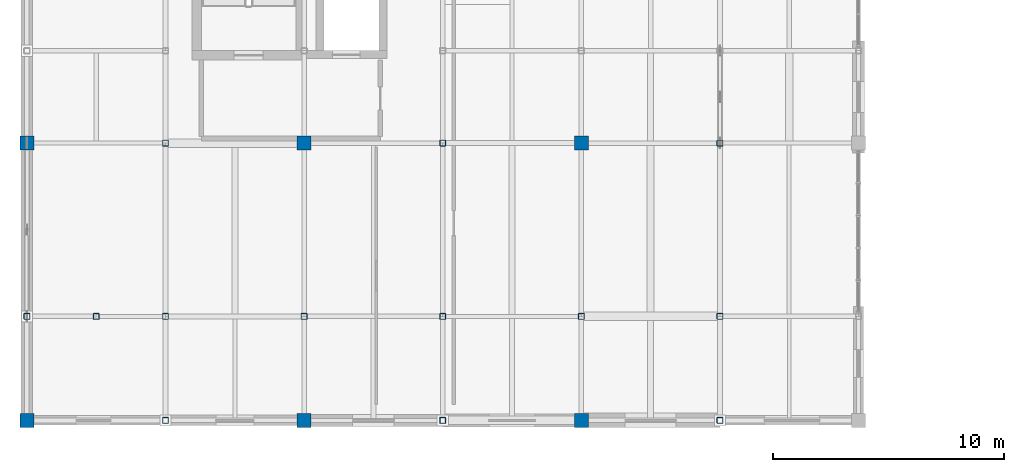
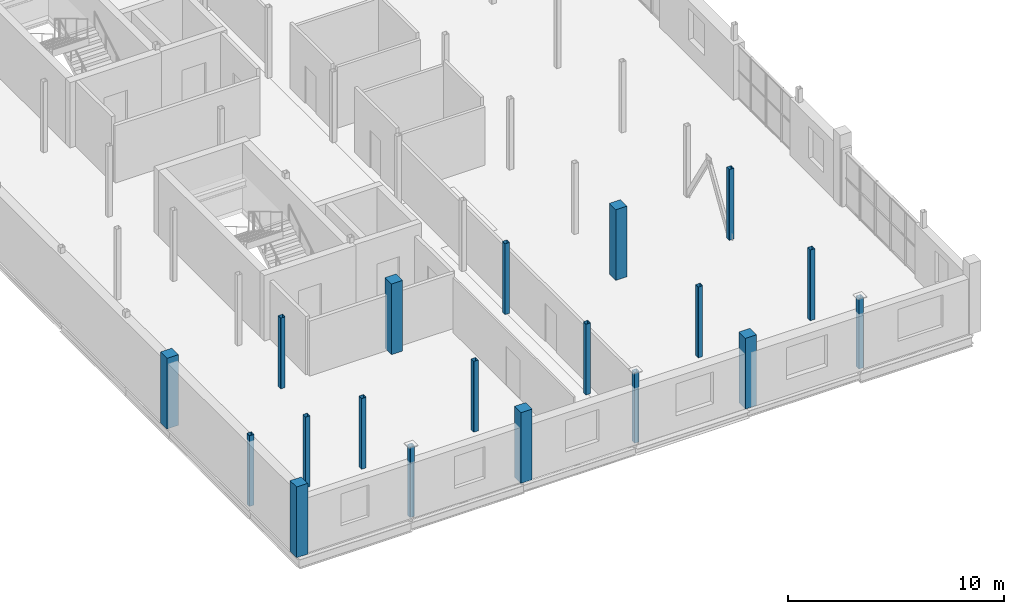
# One storey, part 1 of 35: 19 columns.
"""IFC4 building model written with IfcOpenShell, lengths in metres."""

from ifc_helpers import new_model, si_unit, direction, frame, origin, origin_2d, place, context, subcontext, project, spatial, rectangle, hollow_rectangle, extrude, material, material_profile, profile_set, type_object, element, save


model = new_model("IFC4")

# Units and contexts
model_context = context("Model", 3, precision=1e-05, world=origin(), true_north=direction((0.0, 1.0)))
body_context = subcontext(model_context, "Body", "Model", "MODEL_VIEW")
ifc_project = project(units=[si_unit("LENGTHUNIT", "METRE"), si_unit("AREAUNIT", "SQUARE_METRE"), si_unit("VOLUMEUNIT", "CUBIC_METRE"), si_unit("PLANEANGLEUNIT", "RADIAN"), si_unit("MASSUNIT", "GRAM", prefix="KILO")], contexts=[model_context])

# Site, building, storey
site_placement = place(None, origin())
site = spatial("IfcSite", under=ifc_project, at=site_placement, CompositionType="ELEMENT")
building_placement = place(site_placement, origin())
building = spatial("IfcBuilding", under=site, at=building_placement, Name="Verrall Gate Interchange", CompositionType="ELEMENT")
storey_placement = place(building_placement, frame((0.0, 0.0, 15.39990234375)))
storey = spatial("IfcBuildingStorey", under=building, at=storey_placement, Name="L04", CompositionType="ELEMENT", Elevation=15.39990234375)

# Columns
ifc_material_1 = material(Name="Concrete CSA A23.1 40 MPa (Class N)", Category="concrete")
ifc_material_profile_1 = material_profile(ifc_material_1, rectangle(XDim=0.60009765625, YDim=0.60009765625, at=origin_2d()), Name="RC600x600")
ifc_profile_set_1 = profile_set([ifc_material_profile_1], Name="Concrete CSA A23.1 40 MPa (Class N)")
column_type_1 = type_object("IfcColumnType", Name="C-04 Column RC600x600", PredefinedType="COLUMN", material=ifc_profile_set_1)
for number, where, z_axis, x_axis, name in (
    (1, (0.0, 0.0, 0.0), (0.0, 0.0, 1.0), (1.0, 0.0, 0.0), "L04 Column COL-L04-0008 (C-04)"),
    (2, (0.0, 12.0, 0.0), (0.0, 0.0, 1.0), (1.0, 0.0, 0.0), "L04 Column COL-L04-0021 (C-04)"),
    (3, (12.0, 0.0, 0.0), (0.0, 0.0, 1.0), (1.0, 0.0, 0.0), "L04 Column COL-L04-0253 (C-04)"),
    (4, (12.0, 12.0, 0.0), (0.0, 0.0, 1.0), (1.0, 0.0, 0.0), "L04 Column COL-L04-0267 (C-04)"),
    (5, (24.0, 0.0, 0.0), (0.0, 0.0, 1.0), (1.0, 0.0, 0.0), "L04 Column COL-L04-0487 (C-04)"),
    (6, (24.0, 12.0, 0.0), (0.0, 0.0, 1.0), (1.0, 0.0, 0.0), "L04 Column COL-L04-0501 (C-04)"),
):
    element("IfcColumn", number, at=place(storey_placement, frame(where, z_axis=z_axis, x_axis=x_axis)), inside=storey, type_object=column_type_1, Name=name, PredefinedType="COLUMN", context=body_context, shape_type="SweptSolid", body=[
        extrude(rectangle(XDim=0.60009765625, YDim=0.60009765625, at=origin_2d()), origin(), (0.0, 0.0, 1.0), 4.0),
    ])
ifc_material_2 = material(Name="Structural Steel CSA G40.21 350WT Cat 4", Category="steel")
ifc_material_profile_2 = material_profile(ifc_material_2, hollow_rectangle(XDim=0.25390625, YDim=0.25390625, WallThickness=0.009521484375, InnerFilletRadius=0.009521484375, OuterFilletRadius=0.01904296875, at=origin_2d()), Name="HSS254x254x9.5")
ifc_profile_set_2 = profile_set([ifc_material_profile_2], Name="Structural Steel CSA G40.21 350WT Cat 4")
column_type_2 = type_object("IfcColumnType", Name="C-13 Column HSS254x254x9.5", PredefinedType="COLUMN", material=ifc_profile_set_2)
for number, where, z_axis, x_axis, name in (
    (7, (0.0, 4.5, 0.0), (0.0, 0.0, 1.0), (1.0, 0.0, 0.0), "L04 Column COL-L04-0014 (C-13)"),
    (8, (3.0, 4.5, 0.0), (0.0, 0.0, 1.0), (1.0, 0.0, 0.0), "L04 Column COL-L04-0106 (C-13)"),
    (9, (6.0, 0.0, 0.0), (0.0, 0.0, 1.0), (1.0, 0.0, 0.0), "L04 Column COL-L04-0136 (C-13)"),
    (10, (6.0, 4.5, 0.0), (0.0, 0.0, 1.0), (1.0, 0.0, 0.0), "L04 Column COL-L04-0142 (C-13)"),
    (11, (6.0, 12.0, 0.0), (0.0, 0.0, 1.0), (1.0, 0.0, 0.0), "L04 Column COL-L04-0150 (C-13)"),
    (12, (12.0, 4.5, 0.0), (0.0, 0.0, 1.0), (1.0, 0.0, 0.0), "L04 Column COL-L04-0259 (C-13)"),
    (13, (18.0, 0.0, 0.0), (0.0, 0.0, 1.0), (1.0, 0.0, 0.0), "L04 Column COL-L04-0370 (C-13)"),
    (14, (18.0, 4.5, 0.0), (0.0, 0.0, 1.0), (1.0, 0.0, 0.0), "L04 Column COL-L04-0376 (C-13)"),
    (15, (18.0, 12.0, 0.0), (0.0, 0.0, 1.0), (1.0, 0.0, 0.0), "L04 Column COL-L04-0384 (C-13)"),
    (16, (24.0, 4.5, 0.0), (0.0, 0.0, 1.0), (1.0, 0.0, 0.0), "L04 Column COL-L04-0493 (C-13)"),
    (17, (30.0, 0.0, 0.0), (0.0, 0.0, 1.0), (1.0, 0.0, 0.0), "L04 Column COL-L04-0604 (C-13)"),
    (18, (30.0, 4.5, 0.0), (0.0, 0.0, 1.0), (1.0, 0.0, 0.0), "L04 Column COL-L04-0610 (C-13)"),
    (19, (30.0, 12.0, 0.0), (0.0, 0.0, 1.0), (1.0, 0.0, 0.0), "L04 Column COL-L04-0618 (C-13)"),
):
    element("IfcColumn", number, at=place(storey_placement, frame(where, z_axis=z_axis, x_axis=x_axis)), inside=storey, type_object=column_type_2, Name=name, PredefinedType="COLUMN", context=body_context, shape_type="SweptSolid", body=[
        extrude(hollow_rectangle(XDim=0.25390625, YDim=0.25390625, WallThickness=0.009521484375, InnerFilletRadius=0.009521484375, OuterFilletRadius=0.01904296875, at=origin_2d()), origin(), (0.0, 0.0, 1.0), 4.0),
    ])

save(model, "model.ifc")
